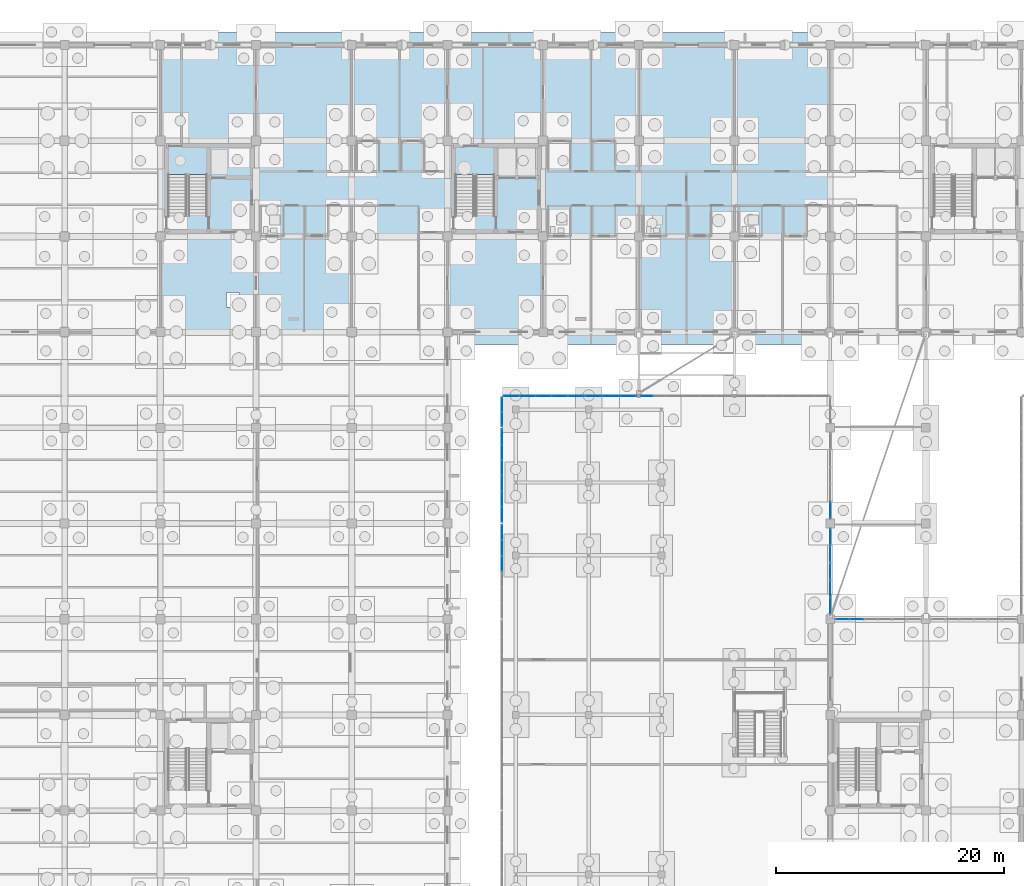
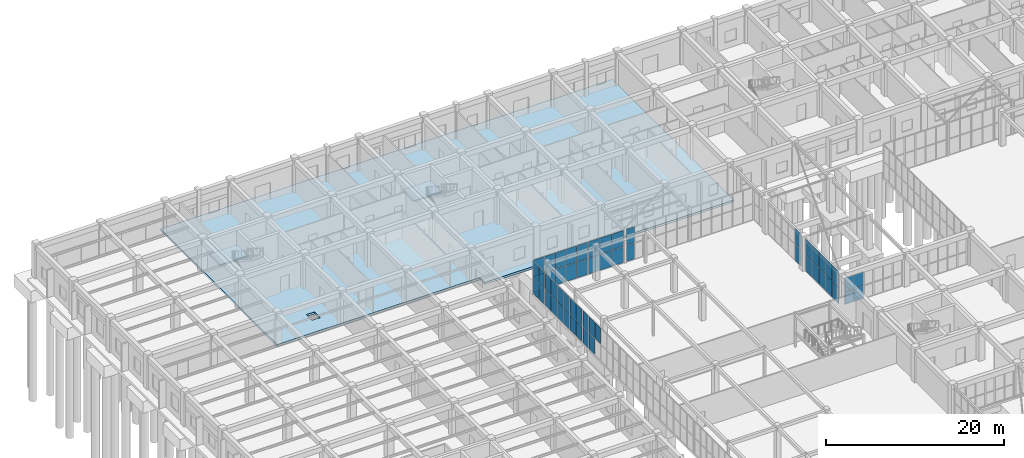
# One storey, part 140 of 192: 55 plates, 3 slabs, 11 elements without a shape of their own.
"""IFC4 building model written with IfcOpenShell, lengths in metres."""

from ifc_helpers import new_model, si_unit, direction, frame, origin, origin_2d, place, context, subcontext, project, spatial, polyline, rectangle, outline, extrude, material, layer, layer_set, type_object, element, aggregate, save


model = new_model("IFC4")

# Units and contexts
model_context = context("Model", 3, precision=1e-05, world=origin(), true_north=direction((0.0, 1.0)))
body_context = subcontext(model_context, "Body", "Model", "MODEL_VIEW")
ifc_project = project(units=[si_unit("LENGTHUNIT", "METRE"), si_unit("AREAUNIT", "SQUARE_METRE"), si_unit("VOLUMEUNIT", "CUBIC_METRE"), si_unit("PLANEANGLEUNIT", "RADIAN"), si_unit("MASSUNIT", "GRAM", prefix="KILO")], contexts=[model_context])

# Site, building, storey
site_placement = place(None, origin())
site = spatial("IfcSite", under=ifc_project, at=site_placement, CompositionType="ELEMENT")
building_placement = place(site_placement, origin())
building = spatial("IfcBuilding", under=site, at=building_placement, Name="Trelvath General Hospital", CompositionType="ELEMENT")
storey_placement = place(building_placement, origin())
storey = spatial("IfcBuildingStorey", under=building, at=storey_placement, Name="L00", CompositionType="ELEMENT", Elevation=0.0)

# Slab
ifc_material_1 = material(Name="Concrete C35/45", Category="concrete")
ifc_layer_1 = layer(ifc_material_1, 0.300048828125)
ifc_layer_set_1 = layer_set([ifc_layer_1], Name="Concrete C35/45")
slab_type_1 = type_object("IfcSlabType", Name="BaseSlab RC300", PredefinedType="BASESLAB", material=ifc_layer_set_1)
slab_1_placement = place(storey_placement, frame((0.0, 0.0, -0.300048828125)))
element("IfcSlab", 1, at=slab_1_placement, inside=storey, type_object=slab_type_1, Name="Floor Slab SL-L00-V5-N1", PredefinedType="BASESLAB", context=body_context, shape_type="SweptSolid", body=[
    extrude(outline(polyline([(16.820068359375, 92.419921875), (16.820068359375, 118.699951171875), (75.60009765625, 118.699951171875), (75.60009765625, 117.6201171875), (75.580078125, 117.6201171875), (75.60009765625, 117.60009765625), (75.60009765625, 92.39990234375), (75.580078125, 92.39990234375), (75.60009765625, 92.3798828125), (75.60009765625, 91.300048828125), (43.169921875, 91.300048828125), (43.169921875, 92.39990234375), (42.02001953125, 92.39990234375), (42.02001953125, 92.419921875), (16.820068359375, 92.419921875)]), holes=[polyline([(22.60009765625, 94.60009765625), (23.699951171875, 94.60009765625), (23.699951171875, 95.89990234375), (22.60009765625, 95.89990234375), (22.60009765625, 94.60009765625)])]), origin(), (0.0, 0.0, 1.0), 0.300048828125),
])

# Curtain wall, plates
ifc_material_2 = material(Name="Anodised aluminium and low-E glass", Category="aluminium")
ifc_layer_2 = layer(ifc_material_2, 0.139892578125)
ifc_layer_set_2 = layer_set([ifc_layer_2], Name="Anodised aluminium and low-E glass")
curtain_wall_type_1 = type_object("IfcCurtainWallType", Name="CW CrystalCube 710 456 14", PredefinedType="USERDEFINED", material=ifc_layer_set_2)
curtain_wall_1_placement = place(storey_placement, origin())
curtain_wall_1 = element("IfcCurtainWall", 2, at=curtain_wall_1_placement, inside=storey, type_object=curtain_wall_type_1, Name="Crystal Cube Curtain Wall CUBE-W-T0 N1 L00", ObjectType="Unitised Glazed Curtain Wall", PredefinedType="USERDEFINED")
ifc_material_3 = material(Name="Low-E laminated glass", Category="glass")
ifc_layer_3 = layer(ifc_material_3, 0.028076171875)
ifc_layer_set_3 = layer_set([ifc_layer_3], Name="Low-E laminated glass")
plate_type_1 = type_object("IfcPlateType", Name="CurtainPanel Glass28", PredefinedType="CURTAIN_PANEL", material=ifc_layer_set_3)
plate_1_placement = place(storey_placement, frame((47.60498046875, 86.800048828125, 0.06005859375), z_axis=(0.0, 0.0, 1.0), x_axis=(1.0, 0.0, 0.0)))
plate_1 = element("IfcPlate", 3, at=plate_1_placement, type_object=plate_type_1, Name="CW-089 panel 1.1", PredefinedType="CURTAIN_PANEL", context=body_context, shape_type="SweptSolid", body=[
    extrude(rectangle(XDim=1.330078125, YDim=0.028076171875, at=origin_2d()), origin(), (0.0, 0.0, 1.0), 2.18994140625),
])
plate_2_placement = place(storey_placement, frame((47.60498046875, 86.800048828125, 2.31005859375), z_axis=(0.0, 0.0, 1.0), x_axis=(1.0, 0.0, 0.0)))
plate_2 = element("IfcPlate", 4, at=plate_2_placement, type_object=plate_type_1, Name="CW-089 panel 1.2", PredefinedType="CURTAIN_PANEL", context=body_context, shape_type="SweptSolid", body=[
    extrude(rectangle(XDim=1.330078125, YDim=0.028076171875, at=origin_2d()), origin(), (0.0, 0.0, 1.0), 2.18994140625),
])
plate_3_placement = place(storey_placement, frame((49.010009765625, 86.800048828125, 0.06005859375), z_axis=(0.0, 0.0, 1.0), x_axis=(1.0, 0.0, 0.0)))
plate_3 = element("IfcPlate", 5, at=plate_3_placement, type_object=plate_type_1, Name="CW-089 panel 2.1", PredefinedType="CURTAIN_PANEL", context=body_context, shape_type="SweptSolid", body=[
    extrude(rectangle(XDim=1.360107421875, YDim=0.028076171875, at=origin_2d()), origin(), (0.0, 0.0, 1.0), 2.18994140625),
])
plate_4_placement = place(storey_placement, frame((49.010009765625, 86.800048828125, 2.31005859375), z_axis=(0.0, 0.0, 1.0), x_axis=(1.0, 0.0, 0.0)))
plate_4 = element("IfcPlate", 6, at=plate_4_placement, type_object=plate_type_1, Name="CW-089 panel 2.2", PredefinedType="CURTAIN_PANEL", context=body_context, shape_type="SweptSolid", body=[
    extrude(rectangle(XDim=1.360107421875, YDim=0.028076171875, at=origin_2d()), origin(), (0.0, 0.0, 1.0), 2.18994140625),
])
plate_5_placement = place(storey_placement, frame((50.429931640625, 86.800048828125, 0.06005859375), z_axis=(0.0, 0.0, 1.0), x_axis=(1.0, 0.0, 0.0)))
plate_5 = element("IfcPlate", 7, at=plate_5_placement, type_object=plate_type_1, Name="CW-089 panel 3.1", PredefinedType="CURTAIN_PANEL", context=body_context, shape_type="SweptSolid", body=[
    extrude(rectangle(XDim=1.360107421875, YDim=0.028076171875, at=origin_2d()), origin(), (0.0, 0.0, 1.0), 2.18994140625),
])
plate_6_placement = place(storey_placement, frame((50.429931640625, 86.800048828125, 2.31005859375), z_axis=(0.0, 0.0, 1.0), x_axis=(1.0, 0.0, 0.0)))
plate_6 = element("IfcPlate", 8, at=plate_6_placement, type_object=plate_type_1, Name="CW-089 panel 3.2", PredefinedType="CURTAIN_PANEL", context=body_context, shape_type="SweptSolid", body=[
    extrude(rectangle(XDim=1.360107421875, YDim=0.028076171875, at=origin_2d()), origin(), (0.0, 0.0, 1.0), 2.18994140625),
])
plate_7_placement = place(storey_placement, frame((51.85009765625, 86.800048828125, 0.06005859375), z_axis=(0.0, 0.0, 1.0), x_axis=(1.0, 0.0, 0.0)))
plate_7 = element("IfcPlate", 9, at=plate_7_placement, type_object=plate_type_1, Name="CW-089 panel 4.1", PredefinedType="CURTAIN_PANEL", context=body_context, shape_type="SweptSolid", body=[
    extrude(rectangle(XDim=1.360107421875, YDim=0.028076171875, at=origin_2d()), origin(), (0.0, 0.0, 1.0), 2.18994140625),
])
plate_8_placement = place(storey_placement, frame((51.85009765625, 86.800048828125, 2.31005859375), z_axis=(0.0, 0.0, 1.0), x_axis=(1.0, 0.0, 0.0)))
plate_8 = element("IfcPlate", 10, at=plate_8_placement, type_object=plate_type_1, Name="CW-089 panel 4.2", PredefinedType="CURTAIN_PANEL", context=body_context, shape_type="SweptSolid", body=[
    extrude(rectangle(XDim=1.360107421875, YDim=0.028076171875, at=origin_2d()), origin(), (0.0, 0.0, 1.0), 2.18994140625),
])
plate_9_placement = place(storey_placement, frame((53.2548828125, 86.800048828125, 0.06005859375), z_axis=(0.0, 0.0, 1.0), x_axis=(1.0, 0.0, 0.0)))
plate_9 = element("IfcPlate", 11, at=plate_9_placement, type_object=plate_type_1, Name="CW-089 panel 5.1", PredefinedType="CURTAIN_PANEL", context=body_context, shape_type="SweptSolid", body=[
    extrude(rectangle(XDim=1.330078125, YDim=0.028076171875, at=origin_2d()), origin(), (0.0, 0.0, 1.0), 2.18994140625),
])
plate_10_placement = place(storey_placement, frame((53.2548828125, 86.800048828125, 2.31005859375), z_axis=(0.0, 0.0, 1.0), x_axis=(1.0, 0.0, 0.0)))
plate_10 = element("IfcPlate", 12, at=plate_10_placement, type_object=plate_type_1, Name="CW-089 panel 5.2", PredefinedType="CURTAIN_PANEL", context=body_context, shape_type="SweptSolid", body=[
    extrude(rectangle(XDim=1.330078125, YDim=0.028076171875, at=origin_2d()), origin(), (0.0, 0.0, 1.0), 2.18994140625),
])
aggregate(curtain_wall_1, [plate_1, plate_2, plate_3, plate_4, plate_5, plate_6, plate_7, plate_8, plate_9, plate_10])

ifc_material_4 = material(Name="Anodised aluminium and low-E glass", Category="aluminium")
ifc_layer_4 = layer(ifc_material_4, 0.139892578125)
ifc_layer_set_4 = layer_set([ifc_layer_4], Name="Anodised aluminium and low-E glass")
curtain_wall_type_2 = type_object("IfcCurtainWallType", Name="CW CrystalCube 463 456 14", PredefinedType="USERDEFINED", material=ifc_layer_set_4)
curtain_wall_2_placement = place(storey_placement, origin())
curtain_wall_2 = element("IfcCurtainWall", 13, at=curtain_wall_2_placement, inside=storey, type_object=curtain_wall_type_2, Name="Crystal Cube Curtain Wall CUBE-W-T0 N2 L00", ObjectType="Unitised Glazed Curtain Wall", PredefinedType="USERDEFINED")
plate_11_placement = place(storey_placement, frame((54.806640625, 86.800048828125, 0.06005859375), z_axis=(0.0, 0.0, 1.0), x_axis=(1.0, 0.0, 0.0)))
plate_11 = element("IfcPlate", 14, at=plate_11_placement, type_object=plate_type_1, Name="CW-090 panel 1.1", PredefinedType="CURTAIN_PANEL", context=body_context, shape_type="SweptSolid", body=[
    extrude(rectangle(XDim=1.453369140625, YDim=0.028076171875, at=origin_2d()), origin(), (0.0, 0.0, 1.0), 2.18994140625),
])
plate_12_placement = place(storey_placement, frame((54.806640625, 86.800048828125, 2.31005859375), z_axis=(0.0, 0.0, 1.0), x_axis=(1.0, 0.0, 0.0)))
plate_12 = element("IfcPlate", 15, at=plate_12_placement, type_object=plate_type_1, Name="CW-090 panel 1.2", PredefinedType="CURTAIN_PANEL", context=body_context, shape_type="SweptSolid", body=[
    extrude(rectangle(XDim=1.453369140625, YDim=0.028076171875, at=origin_2d()), origin(), (0.0, 0.0, 1.0), 2.18994140625),
])
plate_13_placement = place(storey_placement, frame((56.3349609375, 86.800048828125, 0.06005859375), z_axis=(0.0, 0.0, 1.0), x_axis=(1.0, 0.0, 0.0)))
plate_13 = element("IfcPlate", 16, at=plate_13_placement, type_object=plate_type_1, Name="CW-090 panel 2.1", PredefinedType="CURTAIN_PANEL", context=body_context, shape_type="SweptSolid", body=[
    extrude(rectangle(XDim=1.4833984375, YDim=0.028076171875, at=origin_2d()), origin(), (0.0, 0.0, 1.0), 2.18994140625),
])
plate_14_placement = place(storey_placement, frame((56.3349609375, 86.800048828125, 2.31005859375), z_axis=(0.0, 0.0, 1.0), x_axis=(1.0, 0.0, 0.0)))
plate_14 = element("IfcPlate", 17, at=plate_14_placement, type_object=plate_type_1, Name="CW-090 panel 2.2", PredefinedType="CURTAIN_PANEL", context=body_context, shape_type="SweptSolid", body=[
    extrude(rectangle(XDim=1.4833984375, YDim=0.028076171875, at=origin_2d()), origin(), (0.0, 0.0, 1.0), 2.18994140625),
])
plate_15_placement = place(storey_placement, frame((57.86328125, 86.800048828125, 0.06005859375), z_axis=(0.0, 0.0, 1.0), x_axis=(1.0, 0.0, 0.0)))
plate_15 = element("IfcPlate", 18, at=plate_15_placement, type_object=plate_type_1, Name="CW-090 panel 3.1", PredefinedType="CURTAIN_PANEL", context=body_context, shape_type="SweptSolid", body=[
    extrude(rectangle(XDim=1.453369140625, YDim=0.028076171875, at=origin_2d()), origin(), (0.0, 0.0, 1.0), 2.18994140625),
])
plate_16_placement = place(storey_placement, frame((57.86328125, 86.800048828125, 2.31005859375), z_axis=(0.0, 0.0, 1.0), x_axis=(1.0, 0.0, 0.0)))
plate_16 = element("IfcPlate", 19, at=plate_16_placement, type_object=plate_type_1, Name="CW-090 panel 3.2", PredefinedType="CURTAIN_PANEL", context=body_context, shape_type="SweptSolid", body=[
    extrude(rectangle(XDim=1.453369140625, YDim=0.028076171875, at=origin_2d()), origin(), (0.0, 0.0, 1.0), 2.18994140625),
])
aggregate(curtain_wall_2, [plate_11, plate_12, plate_13, plate_14, plate_15, plate_16])

ifc_material_5 = material(Name="Anodised aluminium and low-E glass", Category="aluminium")
ifc_layer_5 = layer(ifc_material_5, 0.139892578125)
ifc_layer_set_5 = layer_set([ifc_layer_5], Name="Anodised aluminium and low-E glass")
curtain_wall_type_3 = type_object("IfcCurtainWallType", Name="CW CrystalCube 223 456 14", PredefinedType="USERDEFINED", material=ifc_layer_set_5)
curtain_wall_3_placement = place(storey_placement, origin())
curtain_wall_3 = element("IfcCurtainWall", 20, at=curtain_wall_3_placement, inside=storey, type_object=curtain_wall_type_3, Name="Crystal Cube Curtain Wall CUBE-W-T0 N3 L00", ObjectType="Unitised Glazed Curtain Wall", PredefinedType="USERDEFINED")
plate_17_placement = place(storey_placement, frame((59.5224609375, 86.800048828125, 0.06005859375), z_axis=(0.0, 0.0, 1.0), x_axis=(1.0, 0.0, 0.0)))
plate_17 = element("IfcPlate", 21, at=plate_17_placement, type_object=plate_type_1, Name="CW-091 panel 1.1", PredefinedType="CURTAIN_PANEL", context=body_context, shape_type="SweptSolid", body=[
    extrude(rectangle(XDim=1.02490234375, YDim=0.028076171875, at=origin_2d()), origin(), (0.0, 0.0, 1.0), 2.18994140625),
])
plate_18_placement = place(storey_placement, frame((59.5224609375, 86.800048828125, 2.31005859375), z_axis=(0.0, 0.0, 1.0), x_axis=(1.0, 0.0, 0.0)))
plate_18 = element("IfcPlate", 22, at=plate_18_placement, type_object=plate_type_1, Name="CW-091 panel 1.2", PredefinedType="CURTAIN_PANEL", context=body_context, shape_type="SweptSolid", body=[
    extrude(rectangle(XDim=1.02490234375, YDim=0.028076171875, at=origin_2d()), origin(), (0.0, 0.0, 1.0), 2.18994140625),
])
aggregate(curtain_wall_3, [plate_17, plate_18])

ifc_material_6 = material(Name="Anodised aluminium and low-E glass", Category="aluminium")
ifc_layer_6 = layer(ifc_material_6, 0.139892578125)
ifc_layer_set_6 = layer_set([ifc_layer_6], Name="Anodised aluminium and low-E glass")
curtain_wall_type_4 = type_object("IfcCurtainWallType", Name="CW CrystalCube 824 456 14", PredefinedType="USERDEFINED", material=ifc_layer_set_6)
curtain_wall_4_placement = place(storey_placement, origin())
curtain_wall_4 = element("IfcCurtainWall", 23, at=curtain_wall_4_placement, inside=storey, type_object=curtain_wall_type_4, Name="Crystal Cube Curtain Wall CUBE-W-T0 W5 L00", ObjectType="Unitised Glazed Curtain Wall", PredefinedType="USERDEFINED")
plate_19_placement = place(storey_placement, frame((46.800048828125, 72.086669921875, 2.31005859375), z_axis=(0.0, 0.0, 1.0), x_axis=(0.0, 1.0, 0.0)))
plate_19 = element("IfcPlate", 24, at=plate_19_placement, type_object=plate_type_1, Name="CW-100 panel 4.2", PredefinedType="CURTAIN_PANEL", context=body_context, shape_type="SweptSolid", body=[
    extrude(rectangle(XDim=1.313232421875, YDim=0.028076171875, at=origin_2d()), origin(), (0.0, 0.0, 1.0), 2.18994140625),
])
plate_20_placement = place(storey_placement, frame((46.800048828125, 73.4599609375, 0.06005859375), z_axis=(0.0, 0.0, 1.0), x_axis=(0.0, 1.0, 0.0)))
plate_20 = element("IfcPlate", 25, at=plate_20_placement, type_object=plate_type_1, Name="CW-100 panel 5.1", PredefinedType="CURTAIN_PANEL", context=body_context, shape_type="SweptSolid", body=[
    extrude(rectangle(XDim=1.313232421875, YDim=0.028076171875, at=origin_2d()), origin(), (0.0, 0.0, 1.0), 2.18994140625),
])
plate_21_placement = place(storey_placement, frame((46.800048828125, 73.4599609375, 2.31005859375), z_axis=(0.0, 0.0, 1.0), x_axis=(0.0, 1.0, 0.0)))
plate_21 = element("IfcPlate", 26, at=plate_21_placement, type_object=plate_type_1, Name="CW-100 panel 5.2", PredefinedType="CURTAIN_PANEL", context=body_context, shape_type="SweptSolid", body=[
    extrude(rectangle(XDim=1.313232421875, YDim=0.028076171875, at=origin_2d()), origin(), (0.0, 0.0, 1.0), 2.18994140625),
])
plate_22_placement = place(storey_placement, frame((46.800048828125, 74.818359375, 0.06005859375), z_axis=(0.0, 0.0, 1.0), x_axis=(0.0, 1.0, 0.0)))
plate_22 = element("IfcPlate", 27, at=plate_22_placement, type_object=plate_type_1, Name="CW-100 panel 6.1", PredefinedType="CURTAIN_PANEL", context=body_context, shape_type="SweptSolid", body=[
    extrude(rectangle(XDim=1.283447265625, YDim=0.028076171875, at=origin_2d()), origin(), (0.0, 0.0, 1.0), 2.18994140625),
])
plate_23_placement = place(storey_placement, frame((46.800048828125, 74.818359375, 2.31005859375), z_axis=(0.0, 0.0, 1.0), x_axis=(0.0, 1.0, 0.0)))
plate_23 = element("IfcPlate", 28, at=plate_23_placement, type_object=plate_type_1, Name="CW-100 panel 6.2", PredefinedType="CURTAIN_PANEL", context=body_context, shape_type="SweptSolid", body=[
    extrude(rectangle(XDim=1.283447265625, YDim=0.028076171875, at=origin_2d()), origin(), (0.0, 0.0, 1.0), 2.18994140625),
])
aggregate(curtain_wall_4, [plate_19, plate_20, plate_21, plate_22, plate_23])

ifc_material_7 = material(Name="Anodised aluminium and low-E glass", Category="aluminium")
ifc_layer_7 = layer(ifc_material_7, 0.139892578125)
ifc_layer_set_7 = layer_set([ifc_layer_7], Name="Anodised aluminium and low-E glass")
curtain_wall_type_5 = type_object("IfcCurtainWallType", Name="CW CrystalCube 758 456 14", PredefinedType="USERDEFINED", material=ifc_layer_set_7)
curtain_wall_5_placement = place(storey_placement, origin())
curtain_wall_5 = element("IfcCurtainWall", 29, at=curtain_wall_5_placement, inside=storey, type_object=curtain_wall_type_5, Name="Crystal Cube Curtain Wall CUBE-W-T0 E5 L00", ObjectType="Unitised Glazed Curtain Wall", PredefinedType="USERDEFINED")
plate_24_placement = place(storey_placement, frame((75.60009765625, 74.4169921875, 0.06005859375), z_axis=(0.0, 0.0, 1.0), x_axis=(0.0, -1.0, 0.0)))
plate_24 = element("IfcPlate", 30, at=plate_24_placement, type_object=plate_type_1, Name="CW-101 panel 1.1", PredefinedType="CURTAIN_PANEL", context=body_context, shape_type="SweptSolid", body=[
    extrude(rectangle(XDim=1.426025390625, YDim=0.028076171875, at=origin_2d()), origin(), (0.0, 0.0, 1.0), 2.18994140625),
])
plate_25_placement = place(storey_placement, frame((75.60009765625, 74.4169921875, 2.31005859375), z_axis=(0.0, 0.0, 1.0), x_axis=(0.0, -1.0, 0.0)))
plate_25 = element("IfcPlate", 31, at=plate_25_placement, type_object=plate_type_1, Name="CW-101 panel 1.2", PredefinedType="CURTAIN_PANEL", context=body_context, shape_type="SweptSolid", body=[
    extrude(rectangle(XDim=1.426025390625, YDim=0.028076171875, at=origin_2d()), origin(), (0.0, 0.0, 1.0), 2.18994140625),
])
plate_26_placement = place(storey_placement, frame((75.60009765625, 72.916015625, 0.06005859375), z_axis=(0.0, 0.0, 1.0), x_axis=(0.0, -1.0, 0.0)))
plate_26 = element("IfcPlate", 32, at=plate_26_placement, type_object=plate_type_1, Name="CW-101 panel 2.1", PredefinedType="CURTAIN_PANEL", context=body_context, shape_type="SweptSolid", body=[
    extrude(rectangle(XDim=1.4560546875, YDim=0.028076171875, at=origin_2d()), origin(), (0.0, 0.0, 1.0), 2.18994140625),
])
plate_27_placement = place(storey_placement, frame((75.60009765625, 72.916015625, 2.31005859375), z_axis=(0.0, 0.0, 1.0), x_axis=(0.0, -1.0, 0.0)))
plate_27 = element("IfcPlate", 33, at=plate_27_placement, type_object=plate_type_1, Name="CW-101 panel 2.2", PredefinedType="CURTAIN_PANEL", context=body_context, shape_type="SweptSolid", body=[
    extrude(rectangle(XDim=1.4560546875, YDim=0.028076171875, at=origin_2d()), origin(), (0.0, 0.0, 1.0), 2.18994140625),
])
plate_28_placement = place(storey_placement, frame((75.60009765625, 71.39990234375, 0.06005859375), z_axis=(0.0, 0.0, 1.0), x_axis=(0.0, -1.0, 0.0)))
plate_28 = element("IfcPlate", 34, at=plate_28_placement, type_object=plate_type_1, Name="CW-101 panel 3.1", PredefinedType="CURTAIN_PANEL", context=body_context, shape_type="SweptSolid", body=[
    extrude(rectangle(XDim=1.4560546875, YDim=0.028076171875, at=origin_2d()), origin(), (0.0, 0.0, 1.0), 2.18994140625),
])
plate_29_placement = place(storey_placement, frame((75.60009765625, 71.39990234375, 2.31005859375), z_axis=(0.0, 0.0, 1.0), x_axis=(0.0, -1.0, 0.0)))
plate_29 = element("IfcPlate", 35, at=plate_29_placement, type_object=plate_type_1, Name="CW-101 panel 3.2", PredefinedType="CURTAIN_PANEL", context=body_context, shape_type="SweptSolid", body=[
    extrude(rectangle(XDim=1.4560546875, YDim=0.028076171875, at=origin_2d()), origin(), (0.0, 0.0, 1.0), 2.18994140625),
])
plate_30_placement = place(storey_placement, frame((75.60009765625, 69.884033203125, 0.06005859375), z_axis=(0.0, 0.0, 1.0), x_axis=(0.0, -1.0, 0.0)))
plate_30 = element("IfcPlate", 36, at=plate_30_placement, type_object=plate_type_1, Name="CW-101 panel 4.1", PredefinedType="CURTAIN_PANEL", context=body_context, shape_type="SweptSolid", body=[
    extrude(rectangle(XDim=1.4560546875, YDim=0.028076171875, at=origin_2d()), origin(), (0.0, 0.0, 1.0), 2.18994140625),
])
plate_31_placement = place(storey_placement, frame((75.60009765625, 69.884033203125, 2.31005859375), z_axis=(0.0, 0.0, 1.0), x_axis=(0.0, -1.0, 0.0)))
plate_31 = element("IfcPlate", 37, at=plate_31_placement, type_object=plate_type_1, Name="CW-101 panel 4.2", PredefinedType="CURTAIN_PANEL", context=body_context, shape_type="SweptSolid", body=[
    extrude(rectangle(XDim=1.4560546875, YDim=0.028076171875, at=origin_2d()), origin(), (0.0, 0.0, 1.0), 2.18994140625),
])
plate_32_placement = place(storey_placement, frame((75.60009765625, 68.383056640625, 0.06005859375), z_axis=(0.0, 0.0, 1.0), x_axis=(0.0, -1.0, 0.0)))
plate_32 = element("IfcPlate", 38, at=plate_32_placement, type_object=plate_type_1, Name="CW-101 panel 5.1", PredefinedType="CURTAIN_PANEL", context=body_context, shape_type="SweptSolid", body=[
    extrude(rectangle(XDim=1.426025390625, YDim=0.028076171875, at=origin_2d()), origin(), (0.0, 0.0, 1.0), 2.18994140625),
])
plate_33_placement = place(storey_placement, frame((75.60009765625, 68.383056640625, 2.31005859375), z_axis=(0.0, 0.0, 1.0), x_axis=(0.0, -1.0, 0.0)))
plate_33 = element("IfcPlate", 39, at=plate_33_placement, type_object=plate_type_1, Name="CW-101 panel 5.2", PredefinedType="CURTAIN_PANEL", context=body_context, shape_type="SweptSolid", body=[
    extrude(rectangle(XDim=1.426025390625, YDim=0.028076171875, at=origin_2d()), origin(), (0.0, 0.0, 1.0), 2.18994140625),
])
aggregate(curtain_wall_5, [plate_24, plate_25, plate_26, plate_27, plate_28, plate_29, plate_30, plate_31, plate_32, plate_33])

curtain_wall_6_placement = place(storey_placement, origin())
curtain_wall_6 = element("IfcCurtainWall", 40, at=curtain_wall_6_placement, inside=storey, type_object=curtain_wall_type_4, Name="Crystal Cube Curtain Wall CUBE-W-T0 W6 L00", ObjectType="Unitised Glazed Curtain Wall", PredefinedType="USERDEFINED")
plate_34_placement = place(storey_placement, frame((46.800048828125, 76.381591796875, 0.06005859375), z_axis=(0.0, 0.0, 1.0), x_axis=(0.0, 1.0, 0.0)))
plate_34 = element("IfcPlate", 41, at=plate_34_placement, type_object=plate_type_1, Name="CW-102 panel 1.1", PredefinedType="CURTAIN_PANEL", context=body_context, shape_type="SweptSolid", body=[
    extrude(rectangle(XDim=1.283447265625, YDim=0.028076171875, at=origin_2d()), origin(), (0.0, 0.0, 1.0), 2.18994140625),
])
plate_35_placement = place(storey_placement, frame((46.800048828125, 76.381591796875, 2.31005859375), z_axis=(0.0, 0.0, 1.0), x_axis=(0.0, 1.0, 0.0)))
plate_35 = element("IfcPlate", 42, at=plate_35_placement, type_object=plate_type_1, Name="CW-102 panel 1.2", PredefinedType="CURTAIN_PANEL", context=body_context, shape_type="SweptSolid", body=[
    extrude(rectangle(XDim=1.283447265625, YDim=0.028076171875, at=origin_2d()), origin(), (0.0, 0.0, 1.0), 2.18994140625),
])
plate_36_placement = place(storey_placement, frame((46.800048828125, 77.739990234375, 0.06005859375), z_axis=(0.0, 0.0, 1.0), x_axis=(0.0, 1.0, 0.0)))
plate_36 = element("IfcPlate", 43, at=plate_36_placement, type_object=plate_type_1, Name="CW-102 panel 2.1", PredefinedType="CURTAIN_PANEL", context=body_context, shape_type="SweptSolid", body=[
    extrude(rectangle(XDim=1.313232421875, YDim=0.028076171875, at=origin_2d()), origin(), (0.0, 0.0, 1.0), 2.18994140625),
])
plate_37_placement = place(storey_placement, frame((46.800048828125, 77.739990234375, 2.31005859375), z_axis=(0.0, 0.0, 1.0), x_axis=(0.0, 1.0, 0.0)))
plate_37 = element("IfcPlate", 44, at=plate_37_placement, type_object=plate_type_1, Name="CW-102 panel 2.2", PredefinedType="CURTAIN_PANEL", context=body_context, shape_type="SweptSolid", body=[
    extrude(rectangle(XDim=1.313232421875, YDim=0.028076171875, at=origin_2d()), origin(), (0.0, 0.0, 1.0), 2.18994140625),
])
plate_38_placement = place(storey_placement, frame((46.800048828125, 79.11328125, 0.06005859375), z_axis=(0.0, 0.0, 1.0), x_axis=(0.0, 1.0, 0.0)))
plate_38 = element("IfcPlate", 45, at=plate_38_placement, type_object=plate_type_1, Name="CW-102 panel 3.1", PredefinedType="CURTAIN_PANEL", context=body_context, shape_type="SweptSolid", body=[
    extrude(rectangle(XDim=1.313232421875, YDim=0.028076171875, at=origin_2d()), origin(), (0.0, 0.0, 1.0), 2.18994140625),
])
plate_39_placement = place(storey_placement, frame((46.800048828125, 79.11328125, 2.31005859375), z_axis=(0.0, 0.0, 1.0), x_axis=(0.0, 1.0, 0.0)))
plate_39 = element("IfcPlate", 46, at=plate_39_placement, type_object=plate_type_1, Name="CW-102 panel 3.2", PredefinedType="CURTAIN_PANEL", context=body_context, shape_type="SweptSolid", body=[
    extrude(rectangle(XDim=1.313232421875, YDim=0.028076171875, at=origin_2d()), origin(), (0.0, 0.0, 1.0), 2.18994140625),
])
plate_40_placement = place(storey_placement, frame((46.800048828125, 80.486572265625, 0.06005859375), z_axis=(0.0, 0.0, 1.0), x_axis=(0.0, 1.0, 0.0)))
plate_40 = element("IfcPlate", 47, at=plate_40_placement, type_object=plate_type_1, Name="CW-102 panel 4.1", PredefinedType="CURTAIN_PANEL", context=body_context, shape_type="SweptSolid", body=[
    extrude(rectangle(XDim=1.313232421875, YDim=0.028076171875, at=origin_2d()), origin(), (0.0, 0.0, 1.0), 2.18994140625),
])
plate_41_placement = place(storey_placement, frame((46.800048828125, 80.486572265625, 2.31005859375), z_axis=(0.0, 0.0, 1.0), x_axis=(0.0, 1.0, 0.0)))
plate_41 = element("IfcPlate", 48, at=plate_41_placement, type_object=plate_type_1, Name="CW-102 panel 4.2", PredefinedType="CURTAIN_PANEL", context=body_context, shape_type="SweptSolid", body=[
    extrude(rectangle(XDim=1.313232421875, YDim=0.028076171875, at=origin_2d()), origin(), (0.0, 0.0, 1.0), 2.18994140625),
])
plate_42_placement = place(storey_placement, frame((46.800048828125, 81.860107421875, 0.06005859375), z_axis=(0.0, 0.0, 1.0), x_axis=(0.0, 1.0, 0.0)))
plate_42 = element("IfcPlate", 49, at=plate_42_placement, type_object=plate_type_1, Name="CW-102 panel 5.1", PredefinedType="CURTAIN_PANEL", context=body_context, shape_type="SweptSolid", body=[
    extrude(rectangle(XDim=1.313232421875, YDim=0.028076171875, at=origin_2d()), origin(), (0.0, 0.0, 1.0), 2.18994140625),
])
plate_43_placement = place(storey_placement, frame((46.800048828125, 81.860107421875, 2.31005859375), z_axis=(0.0, 0.0, 1.0), x_axis=(0.0, 1.0, 0.0)))
plate_43 = element("IfcPlate", 50, at=plate_43_placement, type_object=plate_type_1, Name="CW-102 panel 5.2", PredefinedType="CURTAIN_PANEL", context=body_context, shape_type="SweptSolid", body=[
    extrude(rectangle(XDim=1.313232421875, YDim=0.028076171875, at=origin_2d()), origin(), (0.0, 0.0, 1.0), 2.18994140625),
])
plate_44_placement = place(storey_placement, frame((46.800048828125, 83.21826171875, 0.06005859375), z_axis=(0.0, 0.0, 1.0), x_axis=(0.0, 1.0, 0.0)))
plate_44 = element("IfcPlate", 51, at=plate_44_placement, type_object=plate_type_1, Name="CW-102 panel 6.1", PredefinedType="CURTAIN_PANEL", context=body_context, shape_type="SweptSolid", body=[
    extrude(rectangle(XDim=1.283447265625, YDim=0.028076171875, at=origin_2d()), origin(), (0.0, 0.0, 1.0), 2.18994140625),
])
plate_45_placement = place(storey_placement, frame((46.800048828125, 83.21826171875, 2.31005859375), z_axis=(0.0, 0.0, 1.0), x_axis=(0.0, 1.0, 0.0)))
plate_45 = element("IfcPlate", 52, at=plate_45_placement, type_object=plate_type_1, Name="CW-102 panel 6.2", PredefinedType="CURTAIN_PANEL", context=body_context, shape_type="SweptSolid", body=[
    extrude(rectangle(XDim=1.283447265625, YDim=0.028076171875, at=origin_2d()), origin(), (0.0, 0.0, 1.0), 2.18994140625),
])
aggregate(curtain_wall_6, [plate_34, plate_35, plate_36, plate_37, plate_38, plate_39, plate_40, plate_41, plate_42, plate_43, plate_44, plate_45])

curtain_wall_7_placement = place(storey_placement, origin())
curtain_wall_7 = element("IfcCurtainWall", 53, at=curtain_wall_7_placement, inside=storey, type_object=curtain_wall_type_5, Name="Crystal Cube Curtain Wall CUBE-W-T0 E6 L00", ObjectType="Unitised Glazed Curtain Wall", PredefinedType="USERDEFINED")
plate_46_placement = place(storey_placement, frame((75.60009765625, 76.782958984375, 0.06005859375), z_axis=(0.0, 0.0, 1.0), x_axis=(0.0, -1.0, 0.0)))
plate_46 = element("IfcPlate", 54, at=plate_46_placement, type_object=plate_type_1, Name="CW-103 panel 5.1", PredefinedType="CURTAIN_PANEL", context=body_context, shape_type="SweptSolid", body=[
    extrude(rectangle(XDim=1.426025390625, YDim=0.028076171875, at=origin_2d()), origin(), (0.0, 0.0, 1.0), 2.18994140625),
])
plate_47_placement = place(storey_placement, frame((75.60009765625, 76.782958984375, 2.31005859375), z_axis=(0.0, 0.0, 1.0), x_axis=(0.0, -1.0, 0.0)))
plate_47 = element("IfcPlate", 55, at=plate_47_placement, type_object=plate_type_1, Name="CW-103 panel 5.2", PredefinedType="CURTAIN_PANEL", context=body_context, shape_type="SweptSolid", body=[
    extrude(rectangle(XDim=1.426025390625, YDim=0.028076171875, at=origin_2d()), origin(), (0.0, 0.0, 1.0), 2.18994140625),
])
aggregate(curtain_wall_7, [plate_46, plate_47])

ifc_material_8 = material(Name="Anodised aluminium and low-E glass", Category="aluminium")
ifc_layer_8 = layer(ifc_material_8, 0.139892578125)
ifc_layer_set_8 = layer_set([ifc_layer_8], Name="Anodised aluminium and low-E glass")
curtain_wall_type_6 = type_object("IfcCurtainWallType", Name="CW CrystalCube 264 456 14", PredefinedType="USERDEFINED", material=ifc_layer_set_8)
curtain_wall_8_placement = place(storey_placement, origin())
curtain_wall_8 = element("IfcCurtainWall", 56, at=curtain_wall_8_placement, inside=storey, type_object=curtain_wall_type_6, Name="Crystal Cube Curtain Wall CUBE-W-T0 W7 L00", ObjectType="Unitised Glazed Curtain Wall", PredefinedType="USERDEFINED")
plate_48_placement = place(storey_placement, frame((46.800048828125, 84.7548828125, 0.06005859375), z_axis=(0.0, 0.0, 1.0), x_axis=(0.0, 1.0, 0.0)))
plate_48 = element("IfcPlate", 57, at=plate_48_placement, type_object=plate_type_1, Name="CW-104 panel 1.1", PredefinedType="CURTAIN_PANEL", context=body_context, shape_type="SweptSolid", body=[
    extrude(rectangle(XDim=1.22998046875, YDim=0.028076171875, at=origin_2d()), origin(), (0.0, 0.0, 1.0), 2.18994140625),
])
plate_49_placement = place(storey_placement, frame((46.800048828125, 84.7548828125, 2.31005859375), z_axis=(0.0, 0.0, 1.0), x_axis=(0.0, 1.0, 0.0)))
plate_49 = element("IfcPlate", 58, at=plate_49_placement, type_object=plate_type_1, Name="CW-104 panel 1.2", PredefinedType="CURTAIN_PANEL", context=body_context, shape_type="SweptSolid", body=[
    extrude(rectangle(XDim=1.22998046875, YDim=0.028076171875, at=origin_2d()), origin(), (0.0, 0.0, 1.0), 2.18994140625),
])
plate_50_placement = place(storey_placement, frame((46.800048828125, 86.044921875, 0.06005859375), z_axis=(0.0, 0.0, 1.0), x_axis=(0.0, 1.0, 0.0)))
plate_50 = element("IfcPlate", 59, at=plate_50_placement, type_object=plate_type_1, Name="CW-104 panel 2.1", PredefinedType="CURTAIN_PANEL", context=body_context, shape_type="SweptSolid", body=[
    extrude(rectangle(XDim=1.22998046875, YDim=0.028076171875, at=origin_2d()), origin(), (0.0, 0.0, 1.0), 2.18994140625),
])
plate_51_placement = place(storey_placement, frame((46.800048828125, 86.044921875, 2.31005859375), z_axis=(0.0, 0.0, 1.0), x_axis=(0.0, 1.0, 0.0)))
plate_51 = element("IfcPlate", 60, at=plate_51_placement, type_object=plate_type_1, Name="CW-104 panel 2.2", PredefinedType="CURTAIN_PANEL", context=body_context, shape_type="SweptSolid", body=[
    extrude(rectangle(XDim=1.22998046875, YDim=0.028076171875, at=origin_2d()), origin(), (0.0, 0.0, 1.0), 2.18994140625),
])
aggregate(curtain_wall_8, [plate_48, plate_49, plate_50, plate_51])

ifc_material_9 = material(Name="Anodised aluminium and low-E glass", Category="aluminium")
ifc_layer_9 = layer(ifc_material_9, 0.159912109375)
ifc_layer_set_9 = layer_set([ifc_layer_9], Name="Anodised aluminium and low-E glass")
curtain_wall_type_7 = type_object("IfcCurtainWallType", Name="CW Facade 753 382 16", PredefinedType="USERDEFINED", material=ifc_layer_set_9)
curtain_wall_9_placement = place(storey_placement, origin())
curtain_wall_9 = element("IfcCurtainWall", 61, at=curtain_wall_9_placement, inside=storey, type_object=curtain_wall_type_7, Name="Facade Curtain Wall CW-002", ObjectType="Unitised Glazed Curtain Wall", PredefinedType="USERDEFINED")
ifc_material_10 = material(Name="Low-E laminated glass", Category="glass")
ifc_layer_10 = layer(ifc_material_10, 0.035888671875)
ifc_layer_set_10 = layer_set([ifc_layer_10], Name="Low-E laminated glass")
plate_type_2 = type_object("IfcPlateType", Name="CurtainPanel Glass36", PredefinedType="CURTAIN_PANEL", material=ifc_layer_set_10)
plate_52_placement = place(storey_placement, frame((76.677490234375, 67.199951171875, 0.06005859375), z_axis=(0.0, 0.0, 1.0), x_axis=(1.0, 0.0, 0.0)))
plate_52 = element("IfcPlate", 62, at=plate_52_placement, type_object=plate_type_2, Name="CW-002 panel 1.1", PredefinedType="CURTAIN_PANEL", context=body_context, shape_type="SweptSolid", body=[
    extrude(rectangle(XDim=1.1650390625, YDim=0.035888671875, at=origin_2d()), origin(), (0.0, 0.0, 1.0), 1.743896484375),
])
plate_53_placement = place(storey_placement, frame((76.677490234375, 67.199951171875, 1.864013671875), z_axis=(0.0, 0.0, 1.0), x_axis=(1.0, 0.0, 0.0)))
plate_53 = element("IfcPlate", 63, at=plate_53_placement, type_object=plate_type_2, Name="CW-002 panel 1.2", PredefinedType="CURTAIN_PANEL", context=body_context, shape_type="SweptSolid", body=[
    extrude(rectangle(XDim=1.1650390625, YDim=0.035888671875, at=origin_2d()), origin(), (0.0, 0.0, 1.0), 1.89599609375),
])
plate_54_placement = place(storey_placement, frame((77.91748046875, 67.199951171875, 0.06005859375), z_axis=(0.0, 0.0, 1.0), x_axis=(1.0, 0.0, 0.0)))
plate_54 = element("IfcPlate", 64, at=plate_54_placement, type_object=plate_type_2, Name="CW-002 panel 2.1", PredefinedType="CURTAIN_PANEL", context=body_context, shape_type="SweptSolid", body=[
    extrude(rectangle(XDim=1.195068359375, YDim=0.035888671875, at=origin_2d()), origin(), (0.0, 0.0, 1.0), 1.743896484375),
])
plate_55_placement = place(storey_placement, frame((77.91748046875, 67.199951171875, 1.864013671875), z_axis=(0.0, 0.0, 1.0), x_axis=(1.0, 0.0, 0.0)))
plate_55 = element("IfcPlate", 65, at=plate_55_placement, type_object=plate_type_2, Name="CW-002 panel 2.2", PredefinedType="CURTAIN_PANEL", context=body_context, shape_type="SweptSolid", body=[
    extrude(rectangle(XDim=1.195068359375, YDim=0.035888671875, at=origin_2d()), origin(), (0.0, 0.0, 1.0), 1.89599609375),
])
aggregate(curtain_wall_9, [plate_52, plate_53, plate_54, plate_55])

# Stair, slab
ifc_material_11 = material(Name="Concrete C35/45", Category="concrete")
stair_type = type_object("IfcStairType", Name="Stair Stretcher480", PredefinedType="TWO_STRAIGHT_RUN_STAIR", material=ifc_material_11)
stair_1_placement = place(storey_placement, origin())
stair_1 = element("IfcStair", 66, at=stair_1_placement, inside=storey, type_object=stair_type, Name="Exit Stair ST1 L00", PredefinedType="TWO_STRAIGHT_RUN_STAIR")
ifc_material_12 = material(Name="Concrete C35/45", Category="concrete")
ifc_layer_11 = layer(ifc_material_12, 0.199951171875)
ifc_layer_set_11 = layer_set([ifc_layer_11], Name="Concrete C35/45")
slab_type_2 = type_object("IfcSlabType", Name="StairLanding 200", PredefinedType="LANDING", material=ifc_layer_set_11)
slab_2_placement = place(storey_placement, frame((0.0, 0.0, 2.199951171875)))
slab_2 = element("IfcSlab", 67, at=slab_2_placement, type_object=slab_type_2, Name="ST1-L00 landing 1", PredefinedType="LANDING", context=body_context, shape_type="SweptSolid", body=[
    extrude(outline(polyline([(42.56005859375, 106.239990234375), (46.239990234375, 106.239990234375), (46.239990234375, 108.739990234375), (42.56005859375, 108.739990234375), (42.56005859375, 106.239990234375)])), origin(), (0.0, 0.0, 1.0), 0.199951171875),
])
aggregate(stair_1, [slab_2])

stair_2_placement = place(storey_placement, origin())
stair_2 = element("IfcStair", 68, at=stair_2_placement, inside=storey, type_object=stair_type, Name="Exit Stair ST3 L00", PredefinedType="TWO_STRAIGHT_RUN_STAIR")
slab_3_placement = place(storey_placement, frame((0.0, 0.0, 2.199951171875)))
slab_3 = element("IfcSlab", 69, at=slab_3_placement, type_object=slab_type_2, Name="ST3-L00 landing 1", PredefinedType="LANDING", context=body_context, shape_type="SweptSolid", body=[
    extrude(outline(polyline([(17.360107421875, 106.239990234375), (21.0400390625, 106.239990234375), (21.0400390625, 108.739990234375), (17.360107421875, 108.739990234375), (17.360107421875, 106.239990234375)])), origin(), (0.0, 0.0, 1.0), 0.199951171875),
])
aggregate(stair_2, [slab_3])

save(model, "model.ifc")
